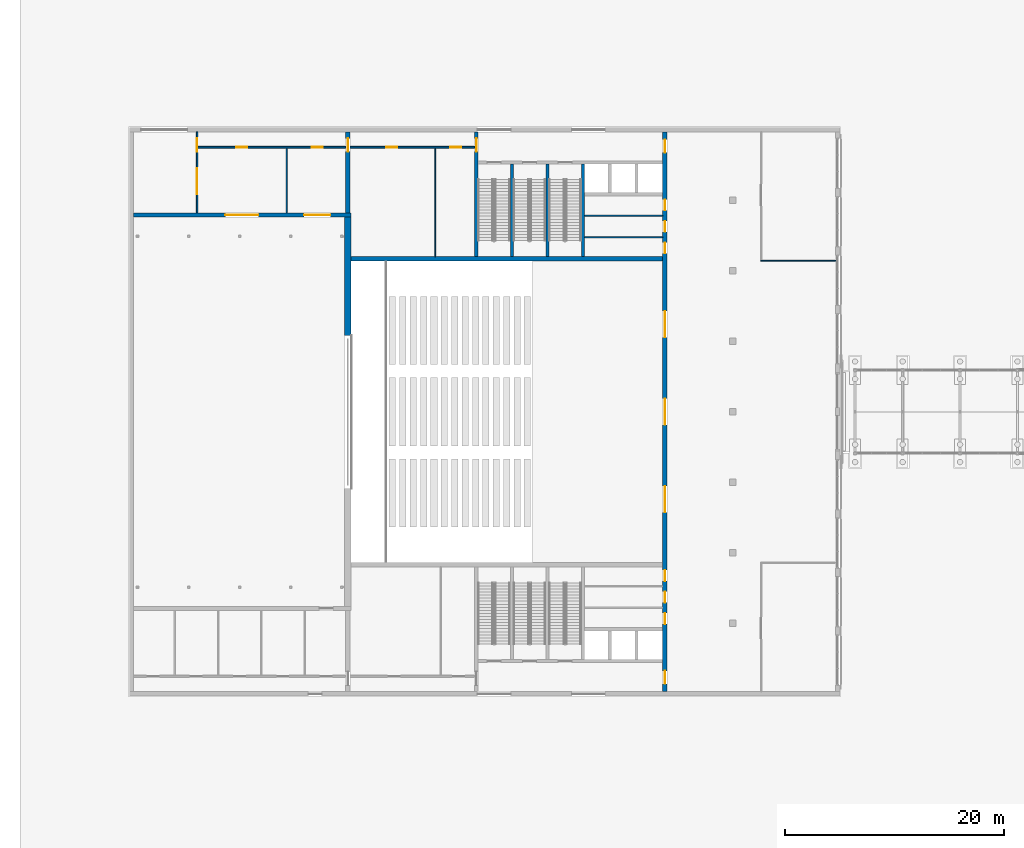
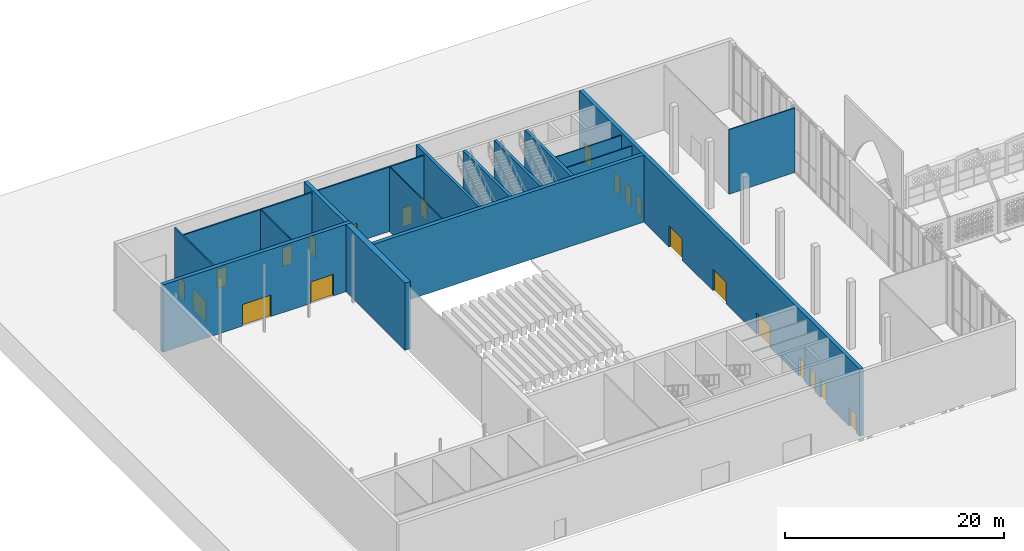
# One storey, part 40 of 79: 21 doors, 17 walls, 21 openings.
"""IFC4 building model written with IfcOpenShell, lengths in metres."""

from ifc_helpers import new_model, si_unit, direction, frame, frame_2d, origin, place, context, subcontext, project, spatial, rectangle, extrude, material, layer, layer_set, type_object, element, fill, save


model = new_model("IFC4")

# Units and contexts
model_context = context("Model", 3, precision=1e-05, world=origin(), true_north=direction((0.0, 1.0)))
body_context = subcontext(model_context, "Body", "Model", "MODEL_VIEW")
ifc_project = project(units=[si_unit("LENGTHUNIT", "METRE"), si_unit("AREAUNIT", "SQUARE_METRE"), si_unit("VOLUMEUNIT", "CUBIC_METRE"), si_unit("PLANEANGLEUNIT", "RADIAN"), si_unit("MASSUNIT", "GRAM", prefix="KILO")], contexts=[model_context])

# Site, building, storey
site_placement = place(None, origin())
site = spatial("IfcSite", under=ifc_project, at=site_placement, CompositionType="ELEMENT")
building_placement = place(site_placement, origin())
building = spatial("IfcBuilding", under=site, at=building_placement, Name="Noorbagh Ring Tower", CompositionType="ELEMENT")
storey_placement = place(building_placement, origin())
storey = spatial("IfcBuildingStorey", under=building, at=storey_placement, Name="L00", CompositionType="ELEMENT", Elevation=0.0)

# Walls
ifc_material_1 = material(Name="Gypsum board on steel studs", Category="steel")
ifc_layer_1 = layer(ifc_material_1, 0.10009765625)
ifc_layer_set_1 = layer_set([ifc_layer_1], Name="Gypsum board on steel studs")
wall_type_1 = type_object("IfcWallType", Name="TH-PART-100", PredefinedType="PARTITIONING", material=ifc_layer_set_1)
wall_1_placement = place(storey_placement, frame((-102.25, 18.800048828125, 0.0), z_axis=(0.0, 0.0, 1.0), x_axis=(1.0, 0.0, 0.0)))
element("IfcWall", 1, at=wall_1_placement, inside=storey, type_object=wall_type_1, Name="L00/th-wall/052", PredefinedType="PARTITIONING", context=body_context, shape_type="SweptSolid", body=[
    extrude(rectangle(XDim=6.949951171875, YDim=0.10009765625, at=frame_2d((3.47509765625, 0.0))), origin(), (0.0, 0.0, 1.0), 7.199951171875),
])
for number, where, z_axis, x_axis, name in (
    (2, (-118.35009765625, 20.967041015625, 0.0), (0.0, 0.0, 1.0), (1.0, 0.0, 0.0), "L00/th-wall/053"),
    (3, (-118.35009765625, 22.93310546875, 0.0), (0.0, 0.0, 1.0), (1.0, 0.0, 0.0), "L00/th-wall/054"),
):
    element("IfcWall", number, at=place(storey_placement, frame(where, z_axis=z_axis, x_axis=x_axis)), inside=storey, type_object=wall_type_1, Name=name, PredefinedType="PARTITIONING", context=body_context, shape_type="SweptSolid", body=[
        extrude(rectangle(XDim=7.150146484375, YDim=0.10009765625, at=frame_2d((3.5751953125, 0.0))), origin(), (0.0, 0.0, 1.0), 7.199951171875),
    ])
wall_2_placement = place(storey_placement, frame((-145.60009765625, 23.199951171875, 0.0), z_axis=(0.0, 0.0, 1.0), x_axis=(0.0, 1.0, 0.0)))
element("IfcWall", 4, at=wall_2_placement, inside=storey, type_object=wall_type_1, Name="L00/th-wall/061", PredefinedType="PARTITIONING", context=body_context, shape_type="SweptSolid", body=[
    extrude(rectangle(XDim=5.925048828125, YDim=0.10009765625, at=frame_2d((2.96240234375, 0.0))), origin(), (0.0, 0.0, 1.0), 7.199951171875),
])
wall_3_placement = place(storey_placement, frame((-132.0, 19.199951171875, 0.0), z_axis=(0.0, 0.0, 1.0), x_axis=(0.0, 1.0, 0.0)))
element("IfcWall", 5, at=wall_3_placement, inside=storey, type_object=wall_type_1, Name="L00/th-wall/064", PredefinedType="PARTITIONING", context=body_context, shape_type="SweptSolid", body=[
    extrude(rectangle(XDim=9.925048828125, YDim=0.10009765625, at=frame_2d((4.96240234375, 0.0))), origin(), (0.0, 0.0, 1.0), 7.199951171875),
])

# Wall, openings, doors
ifc_material_2 = material(Name="Gypsum board on steel studs", Category="steel")
ifc_layer_2 = layer(ifc_material_2, 0.14990234375)
ifc_layer_set_2 = layer_set([ifc_layer_2], Name="Gypsum board on steel studs")
wall_type_2 = type_object("IfcWallType", Name="TH-PART-150", PredefinedType="PARTITIONING", material=ifc_layer_set_2)
wall_4_placement = place(storey_placement, frame((-153.72509765625, 29.199951171875, 0.0), z_axis=(0.0, 0.0, 1.0), x_axis=(1.0, 0.0, 0.0)))
wall_4 = element("IfcWall", 6, at=wall_4_placement, inside=storey, type_object=wall_type_2, Name="L00/th-wall/055", PredefinedType="PARTITIONING", context=body_context, shape_type="SweptSolid", body=[
    extrude(rectangle(XDim=13.525146484375, YDim=0.14990234375, at=frame_2d((6.7626953125, 0.0))), origin(), (0.0, 0.0, 1.0), 7.199951171875),
])
opening_1_placement = place(wall_4_placement, frame((3.52490234375, 0.0, 0.0)))
opening_1 = element("IfcOpeningElement", 7, at=opening_1_placement, cuts=wall_4, Name="Opening TL00-D13", PredefinedType="OPENING", context=body_context, shape_type="SweptSolid", body=[
    extrude(rectangle(XDim=1.0, YDim=2.10009765625, at=frame_2d((0.5, 1.050048828125))), frame((0.0, 0.0849609375, 0.0), z_axis=(0.0, -1.0, 0.0), x_axis=(1.0, 0.0, 0.0)), (0.0, 0.0, 1.0), 0.169921875),
])
opening_2_placement = place(wall_4_placement, frame((10.425048828125, 0.0, 0.0)))
opening_2 = element("IfcOpeningElement", 8, at=opening_2_placement, cuts=wall_4, Name="Opening TL00-D14", PredefinedType="OPENING", context=body_context, shape_type="SweptSolid", body=[
    extrude(rectangle(XDim=1.0, YDim=2.10009765625, at=frame_2d((0.5, 1.050048828125))), frame((0.0, 0.0849609375, 0.0), z_axis=(0.0, -1.0, 0.0), x_axis=(1.0, 0.0, 0.0)), (0.0, 0.0, 1.0), 0.169921875),
])
ifc_material_3 = material(Name="Timber", Category="wood")
door_type_1 = type_object("IfcDoorType", Name="TH-DOOR-1000", OperationType="SINGLE_SWING_LEFT", PredefinedType="DOOR", material=ifc_material_3)
door_1_placement = place(opening_1_placement, origin())
door_1 = element("IfcDoor", 9, at=door_1_placement, inside=storey, type_object=door_type_1, Name="Door Corridor to Scenery workshop TL00-D13", OperationType="SINGLE_SWING_LEFT", OverallHeight=2.10009765625, OverallWidth=1.0, PredefinedType="DOOR", context=body_context, shape_type="SweptSolid", body=[
    extrude(rectangle(XDim=1.0, YDim=2.10009765625, at=frame_2d((0.5, 1.050048828125))), frame((0.0, 0.02490234375, 0.0), z_axis=(0.0, -1.0, 0.0), x_axis=(1.0, 0.0, 0.0)), (0.0, 0.0, 1.0), 0.050048828125),
])
fill(opening_1, door_1)
door_2_placement = place(opening_2_placement, origin())
door_2 = element("IfcDoor", 10, at=door_2_placement, inside=storey, type_object=door_type_1, Name="Door Corridor to Property workshop TL00-D14", OperationType="SINGLE_SWING_RIGHT", OverallHeight=2.10009765625, OverallWidth=1.0, PredefinedType="DOOR", context=body_context, shape_type="SweptSolid", body=[
    extrude(rectangle(XDim=1.0, YDim=2.10009765625, at=frame_2d((0.5, 1.050048828125))), frame((0.0, 0.02490234375, 0.0), z_axis=(0.0, -1.0, 0.0), x_axis=(1.0, 0.0, 0.0)), (0.0, 0.0, 1.0), 0.050048828125),
])
fill(opening_2, door_2)

wall_5_placement = place(storey_placement, frame((-139.800048828125, 29.199951171875, 0.0), z_axis=(0.0, 0.0, 1.0), x_axis=(1.0, 0.0, 0.0)))
wall_5 = element("IfcWall", 11, at=wall_5_placement, inside=storey, type_object=wall_type_2, Name="L00/th-wall/056", PredefinedType="PARTITIONING", context=body_context, shape_type="SweptSolid", body=[
    extrude(rectangle(XDim=11.400146484375, YDim=0.14990234375, at=frame_2d((5.7001953125, 0.0))), origin(), (0.0, 0.0, 1.0), 7.199951171875),
])
opening_3_placement = place(wall_5_placement, frame((3.300048828125, 0.0, 0.0)))
opening_3 = element("IfcOpeningElement", 12, at=opening_3_placement, cuts=wall_5, Name="Opening TL00-D17", PredefinedType="OPENING", context=body_context, shape_type="SweptSolid", body=[
    extrude(rectangle(XDim=1.0, YDim=2.10009765625, at=frame_2d((0.5, 1.050048828125))), frame((0.0, 0.0849609375, 0.0), z_axis=(0.0, -1.0, 0.0), x_axis=(1.0, 0.0, 0.0)), (0.0, 0.0, 1.0), 0.169921875),
])
opening_4_placement = place(wall_5_placement, frame((9.175048828125, 0.0, 0.0)))
opening_4 = element("IfcOpeningElement", 13, at=opening_4_placement, cuts=wall_5, Name="Opening TL00-D18", PredefinedType="OPENING", context=body_context, shape_type="SweptSolid", body=[
    extrude(rectangle(XDim=1.0, YDim=2.10009765625, at=frame_2d((0.5, 1.050048828125))), frame((0.0, 0.0849609375, 0.0), z_axis=(0.0, -1.0, 0.0), x_axis=(1.0, 0.0, 0.0)), (0.0, 0.0, 1.0), 0.169921875),
])
door_3_placement = place(opening_3_placement, origin())
door_3 = element("IfcDoor", 14, at=door_3_placement, inside=storey, type_object=door_type_1, Name="Door Corridor to Rigging store TL00-D17", OperationType="SINGLE_SWING_LEFT", OverallHeight=2.10009765625, OverallWidth=1.0, PredefinedType="DOOR", context=body_context, shape_type="SweptSolid", body=[
    extrude(rectangle(XDim=1.0, YDim=2.10009765625, at=frame_2d((0.5, 1.050048828125))), frame((0.0, 0.02490234375, 0.0), z_axis=(0.0, -1.0, 0.0), x_axis=(1.0, 0.0, 0.0)), (0.0, 0.0, 1.0), 0.050048828125),
])
fill(opening_3, door_3)
door_4_placement = place(opening_4_placement, origin())
door_4 = element("IfcDoor", 15, at=door_4_placement, inside=storey, type_object=door_type_1, Name="Door Corridor to Lighting store TL00-D18", OperationType="SINGLE_SWING_RIGHT", OverallHeight=2.10009765625, OverallWidth=1.0, PredefinedType="DOOR", context=body_context, shape_type="SweptSolid", body=[
    extrude(rectangle(XDim=1.0, YDim=2.10009765625, at=frame_2d((0.5, 1.050048828125))), frame((0.0, 0.02490234375, 0.0), z_axis=(0.0, -1.0, 0.0), x_axis=(1.0, 0.0, 0.0)), (0.0, 0.0, 1.0), 0.050048828125),
])
fill(opening_4, door_4)

wall_6_placement = place(storey_placement, frame((-153.800048828125, 23.199951171875, 0.0), z_axis=(0.0, 0.0, 1.0), x_axis=(0.0, 1.0, 0.0)))
wall_6 = element("IfcWall", 16, at=wall_6_placement, inside=storey, type_object=wall_type_2, Name="L00/th-wall/058", PredefinedType="PARTITIONING", context=body_context, shape_type="SweptSolid", body=[
    extrude(rectangle(XDim=7.400146484375, YDim=0.14990234375, at=frame_2d((3.7001953125, 0.0))), origin(), (0.0, 0.0, 1.0), 7.199951171875),
])
opening_5_placement = place(wall_6_placement, frame((5.60009765625, 0.0, 0.0)))
opening_5 = element("IfcOpeningElement", 17, at=opening_5_placement, cuts=wall_6, Name="Opening TL00-D15", PredefinedType="OPENING", context=body_context, shape_type="SweptSolid", body=[
    extrude(rectangle(XDim=1.199951171875, YDim=2.10009765625, at=frame_2d((0.60009765625, 1.050048828125))), frame((0.0, 0.0849609375, 0.0), z_axis=(0.0, -1.0, 0.0), x_axis=(1.0, 0.0, 0.0)), (0.0, 0.0, 1.0), 0.169921875),
])
opening_6_placement = place(wall_6_placement, frame((1.699951171875, 0.0, 0.0)))
opening_6 = element("IfcOpeningElement", 18, at=opening_6_placement, cuts=wall_6, Name="Opening TL00-D16", PredefinedType="OPENING", context=body_context, shape_type="SweptSolid", body=[
    extrude(rectangle(XDim=2.39990234375, YDim=2.39990234375, at=frame_2d((1.199951171875, 1.199951171875))), frame((0.0, 0.0849609375, 0.0), z_axis=(0.0, -1.0, 0.0), x_axis=(1.0, 0.0, 0.0)), (0.0, 0.0, 1.0), 0.169921875),
])
ifc_material_4 = material(Name="Timber", Category="wood")
door_type_2 = type_object("IfcDoorType", Name="TH-DOOR-1200", OperationType="SINGLE_SWING_LEFT", PredefinedType="DOOR", material=ifc_material_4)
door_5_placement = place(opening_5_placement, origin())
door_5 = element("IfcDoor", 19, at=door_5_placement, inside=storey, type_object=door_type_2, Name="Door Corridor to Scene dock and loading bay TL00-D15", OperationType="SINGLE_SWING_LEFT", OverallHeight=2.10009765625, OverallWidth=1.199951171875, PredefinedType="DOOR", context=body_context, shape_type="SweptSolid", body=[
    extrude(rectangle(XDim=1.199951171875, YDim=2.10009765625, at=frame_2d((0.60009765625, 1.050048828125))), frame((0.0, 0.02490234375, 0.0), z_axis=(0.0, -1.0, 0.0), x_axis=(1.0, 0.0, 0.0)), (0.0, 0.0, 1.0), 0.050048828125),
])
fill(opening_5, door_5)
ifc_material_5 = material(Name="Timber", Category="wood")
door_type_3 = type_object("IfcDoorType", Name="TH-DOOR-DBL-2400", OperationType="DOUBLE_DOOR_SINGLE_SWING", PredefinedType="DOOR", material=ifc_material_5)
door_6_placement = place(opening_6_placement, origin())
door_6 = element("IfcDoor", 20, at=door_6_placement, inside=storey, type_object=door_type_3, Name="Door Scene dock and loading bay to Scenery workshop TL00-D16", OperationType="DOUBLE_DOOR_SINGLE_SWING", OverallHeight=2.39990234375, OverallWidth=2.39990234375, PredefinedType="DOOR", context=body_context, shape_type="SweptSolid", body=[
    extrude(rectangle(XDim=2.39990234375, YDim=2.39990234375, at=frame_2d((1.199951171875, 1.199951171875))), frame((0.0, 0.02490234375, 0.0), z_axis=(0.0, -1.0, 0.0), x_axis=(1.0, 0.0, 0.0)), (0.0, 0.0, 1.0), 0.050048828125),
])
fill(opening_6, door_6)

# Wall, opening, door
ifc_material_6 = material(Name="Concrete C50/60", Category="concrete")
ifc_layer_3 = layer(ifc_material_6, 0.300048828125)
ifc_layer_set_3 = layer_set([ifc_layer_3], Name="Concrete C50/60")
wall_type_3 = type_object("IfcWallType", Name="TH-WALL-CORE", PredefinedType="SHEAR", material=ifc_layer_set_3)
wall_7_placement = place(storey_placement, frame((-128.25, 19.199951171875, 0.0), z_axis=(0.0, 0.0, 1.0), x_axis=(0.0, 1.0, 0.0)))
wall_7 = element("IfcWall", 21, at=wall_7_placement, inside=storey, type_object=wall_type_3, Name="Core wall", PredefinedType="SHEAR", context=body_context, shape_type="SweptSolid", body=[
    extrude(rectangle(XDim=11.400146484375, YDim=0.300048828125, at=frame_2d((5.7001953125, 0.0))), origin(), (0.0, 0.0, 1.0), 7.5),
])
opening_7_placement = place(wall_7_placement, frame((9.60009765625, 0.0, 0.0)))
opening_7 = element("IfcOpeningElement", 22, at=opening_7_placement, cuts=wall_7, Name="Opening TL00-D20", PredefinedType="OPENING", context=body_context, shape_type="SweptSolid", body=[
    extrude(rectangle(XDim=1.199951171875, YDim=2.10009765625, at=frame_2d((0.60009765625, 1.050048828125))), frame((0.0, 0.16015625, 0.0), z_axis=(0.0, -1.0, 0.0), x_axis=(1.0, 0.0, 0.0)), (0.0, 0.0, 1.0), 0.320068359375),
])
ifc_material_7 = material(Name="Steel", Category="steel")
door_type_4 = type_object("IfcDoorType", Name="TH-DOOR-FIRE-1200", OperationType="SINGLE_SWING_LEFT", PredefinedType="DOOR", material=ifc_material_7)
door_7_placement = place(opening_7_placement, origin())
door_7 = element("IfcDoor", 23, at=door_7_placement, inside=storey, type_object=door_type_4, Name="Door Corridor to Exit lobby TL00-D20", OperationType="SINGLE_SWING_RIGHT", OverallHeight=2.10009765625, OverallWidth=1.199951171875, PredefinedType="DOOR", context=body_context, shape_type="SweptSolid", body=[
    extrude(rectangle(XDim=1.199951171875, YDim=2.10009765625, at=frame_2d((0.60009765625, 1.050048828125))), frame((0.0, 0.02490234375, 0.0), z_axis=(0.0, -1.0, 0.0), x_axis=(1.0, 0.0, 0.0)), (0.0, 0.0, 1.0), 0.050048828125),
])
fill(opening_7, door_7)

# Walls
for number, where, z_axis, x_axis, name in (
    (24, (-125.0, 19.199951171875, 0.0), (0.0, 0.0, 1.0), (0.0, 1.0, 0.0), "Stair wall"),
    (25, (-121.75, 19.199951171875, 0.0), (0.0, 0.0, 1.0), (0.0, 1.0, 0.0), "Stair wall"),
    (26, (-118.5, 19.199951171875, 0.0), (0.0, 0.0, 1.0), (0.0, 1.0, 0.0), "Stair wall"),
):
    element("IfcWall", number, at=place(storey_placement, frame(where, z_axis=z_axis, x_axis=x_axis)), inside=storey, type_object=wall_type_3, Name=name, PredefinedType="SHEAR", context=body_context, shape_type="SweptSolid", body=[
        extrude(rectangle(XDim=8.449951171875, YDim=0.300048828125, at=frame_2d((4.22509765625, 0.0))), origin(), (0.0, 0.0, 1.0), 7.5),
    ])
ifc_material_8 = material(Name="Concrete C50/60", Category="concrete")
ifc_layer_4 = layer(ifc_material_8, 0.39990234375)
ifc_layer_set_4 = layer_set([ifc_layer_4], Name="Concrete C50/60")
wall_type_4 = type_object("IfcWallType", Name="TH-WALL-HALL", PredefinedType="SOLIDWALL", material=ifc_layer_set_4)
wall_8_placement = place(storey_placement, frame((-139.699951171875, 19.0, 0.0), z_axis=(0.0, 0.0, 1.0), x_axis=(1.0, 0.0, 0.0)))
element("IfcWall", 27, at=wall_8_placement, inside=storey, type_object=wall_type_4, Name="Auditorium wall north", PredefinedType="SOLIDWALL", context=body_context, shape_type="SweptSolid", body=[
    extrude(rectangle(XDim=28.5, YDim=0.39990234375, at=frame_2d((14.25, 0.0))), origin(), (0.0, 0.0, 1.0), 7.5),
])

# Wall, openings, doors
wall_9_placement = place(storey_placement, frame((-111.0, -20.60009765625, 0.0), z_axis=(0.0, 0.0, 1.0), x_axis=(0.0, 1.0, 0.0)))
wall_9 = element("IfcWall", 28, at=wall_9_placement, inside=storey, type_object=wall_type_4, Name="Auditorium rear wall", PredefinedType="SOLIDWALL", context=body_context, shape_type="SweptSolid", body=[
    extrude(rectangle(XDim=51.2001953125, YDim=0.39990234375, at=frame_2d((25.60009765625, 0.0))), origin(), (0.0, 0.0, 1.0), 7.5),
])
opening_8_placement = place(wall_9_placement, frame((16.39990234375, 0.0, 0.0)))
opening_8 = element("IfcOpeningElement", 29, at=opening_8_placement, cuts=wall_9, Name="Opening TL00-D24", PredefinedType="OPENING", context=body_context, shape_type="SweptSolid", body=[
    extrude(rectangle(XDim=2.39990234375, YDim=2.39990234375, at=frame_2d((1.199951171875, 1.199951171875))), frame((0.0, 0.2099609375, 0.0), z_axis=(0.0, -1.0, 0.0), x_axis=(1.0, 0.0, 0.0)), (0.0, 0.0, 1.0), 0.419921875),
])
opening_9_placement = place(wall_9_placement, frame((24.39990234375, 0.0, 0.0)))
opening_9 = element("IfcOpeningElement", 30, at=opening_9_placement, cuts=wall_9, Name="Opening TL00-D25", PredefinedType="OPENING", context=body_context, shape_type="SweptSolid", body=[
    extrude(rectangle(XDim=2.39990234375, YDim=2.39990234375, at=frame_2d((1.199951171875, 1.199951171875))), frame((0.0, 0.2099609375, 0.0), z_axis=(0.0, -1.0, 0.0), x_axis=(1.0, 0.0, 0.0)), (0.0, 0.0, 1.0), 0.419921875),
])
opening_10_placement = place(wall_9_placement, frame((32.39990234375, 0.0, 0.0)))
opening_10 = element("IfcOpeningElement", 31, at=opening_10_placement, cuts=wall_9, Name="Opening TL00-D26", PredefinedType="OPENING", context=body_context, shape_type="SweptSolid", body=[
    extrude(rectangle(XDim=2.39990234375, YDim=2.39990234375, at=frame_2d((1.199951171875, 1.199951171875))), frame((0.0, 0.2099609375, 0.0), z_axis=(0.0, -1.0, 0.0), x_axis=(1.0, 0.0, 0.0)), (0.0, 0.0, 1.0), 0.419921875),
])
opening_11_placement = place(wall_9_placement, frame((0.699951171875, 0.0, 0.0)))
opening_11 = element("IfcOpeningElement", 32, at=opening_11_placement, cuts=wall_9, Name="Opening TL00-D40", PredefinedType="OPENING", context=body_context, shape_type="SweptSolid", body=[
    extrude(rectangle(XDim=1.199951171875, YDim=2.10009765625, at=frame_2d((0.60009765625, 1.050048828125))), frame((0.0, 0.2099609375, 0.0), z_axis=(0.0, -1.0, 0.0), x_axis=(1.0, 0.0, 0.0)), (0.0, 0.0, 1.0), 0.419921875),
])
opening_12_placement = place(wall_9_placement, frame((6.18408203125, 0.0, 0.0)))
opening_12 = element("IfcOpeningElement", 33, at=opening_12_placement, cuts=wall_9, Name="Opening TL00-D41", PredefinedType="OPENING", context=body_context, shape_type="SweptSolid", body=[
    extrude(rectangle(XDim=1.0, YDim=2.10009765625, at=frame_2d((0.5, 1.050048828125))), frame((0.0, 0.2099609375, 0.0), z_axis=(0.0, -1.0, 0.0), x_axis=(1.0, 0.0, 0.0)), (0.0, 0.0, 1.0), 0.419921875),
])
opening_13_placement = place(wall_9_placement, frame((8.14990234375, 0.0, 0.0)))
opening_13 = element("IfcOpeningElement", 34, at=opening_13_placement, cuts=wall_9, Name="Opening TL00-D42", PredefinedType="OPENING", context=body_context, shape_type="SweptSolid", body=[
    extrude(rectangle(XDim=1.0, YDim=2.10009765625, at=frame_2d((0.5, 1.050048828125))), frame((0.0, 0.2099609375, 0.0), z_axis=(0.0, -1.0, 0.0), x_axis=(1.0, 0.0, 0.0)), (0.0, 0.0, 1.0), 0.419921875),
])
opening_14_placement = place(wall_9_placement, frame((10.116943359375, 0.0, 0.0)))
opening_14 = element("IfcOpeningElement", 35, at=opening_14_placement, cuts=wall_9, Name="Opening TL00-D43", PredefinedType="OPENING", context=body_context, shape_type="SweptSolid", body=[
    extrude(rectangle(XDim=1.0, YDim=2.10009765625, at=frame_2d((0.5, 1.050048828125))), frame((0.0, 0.2099609375, 0.0), z_axis=(0.0, -1.0, 0.0), x_axis=(1.0, 0.0, 0.0)), (0.0, 0.0, 1.0), 0.419921875),
])
opening_15_placement = place(wall_9_placement, frame((49.300048828125, 0.0, 0.0)))
opening_15 = element("IfcOpeningElement", 36, at=opening_15_placement, cuts=wall_9, Name="Opening TL00-D44", PredefinedType="OPENING", context=body_context, shape_type="SweptSolid", body=[
    extrude(rectangle(XDim=1.199951171875, YDim=2.10009765625, at=frame_2d((0.60009765625, 1.050048828125))), frame((0.0, 0.2099609375, 0.0), z_axis=(0.0, -1.0, 0.0), x_axis=(1.0, 0.0, 0.0)), (0.0, 0.0, 1.0), 0.419921875),
])
opening_16_placement = place(wall_9_placement, frame((44.01708984375, 0.0, 0.0)))
opening_16 = element("IfcOpeningElement", 37, at=opening_16_placement, cuts=wall_9, Name="Opening TL00-D45", PredefinedType="OPENING", context=body_context, shape_type="SweptSolid", body=[
    extrude(rectangle(XDim=1.0, YDim=2.10009765625, at=frame_2d((0.5, 1.050048828125))), frame((0.0, 0.2099609375, 0.0), z_axis=(0.0, -1.0, 0.0), x_axis=(1.0, 0.0, 0.0)), (0.0, 0.0, 1.0), 0.419921875),
])
opening_17_placement = place(wall_9_placement, frame((42.050048828125, 0.0, 0.0)))
opening_17 = element("IfcOpeningElement", 38, at=opening_17_placement, cuts=wall_9, Name="Opening TL00-D46", PredefinedType="OPENING", context=body_context, shape_type="SweptSolid", body=[
    extrude(rectangle(XDim=1.0, YDim=2.10009765625, at=frame_2d((0.5, 1.050048828125))), frame((0.0, 0.2099609375, 0.0), z_axis=(0.0, -1.0, 0.0), x_axis=(1.0, 0.0, 0.0)), (0.0, 0.0, 1.0), 0.419921875),
])
opening_18_placement = place(wall_9_placement, frame((40.083984375, 0.0, 0.0)))
opening_18 = element("IfcOpeningElement", 39, at=opening_18_placement, cuts=wall_9, Name="Opening TL00-D47", PredefinedType="OPENING", context=body_context, shape_type="SweptSolid", body=[
    extrude(rectangle(XDim=1.0, YDim=2.10009765625, at=frame_2d((0.5, 1.050048828125))), frame((0.0, 0.2099609375, 0.0), z_axis=(0.0, -1.0, 0.0), x_axis=(1.0, 0.0, 0.0)), (0.0, 0.0, 1.0), 0.419921875),
])
door_8_placement = place(opening_12_placement, origin())
door_8 = element("IfcDoor", 40, at=door_8_placement, inside=storey, type_object=door_type_1, Name="Door Grand foyer to Ladies WC TL00-D41", OperationType="SINGLE_SWING_RIGHT", OverallHeight=2.10009765625, OverallWidth=1.0, PredefinedType="DOOR", context=body_context, shape_type="SweptSolid", body=[
    extrude(rectangle(XDim=1.0, YDim=2.10009765625, at=frame_2d((0.5, 1.050048828125))), frame((0.0, 0.02490234375, 0.0), z_axis=(0.0, -1.0, 0.0), x_axis=(1.0, 0.0, 0.0)), (0.0, 0.0, 1.0), 0.050048828125),
])
fill(opening_12, door_8)
door_9_placement = place(opening_13_placement, origin())
door_9 = element("IfcDoor", 41, at=door_9_placement, inside=storey, type_object=door_type_1, Name="Door Grand foyer to Gents WC TL00-D42", OperationType="SINGLE_SWING_RIGHT", OverallHeight=2.10009765625, OverallWidth=1.0, PredefinedType="DOOR", context=body_context, shape_type="SweptSolid", body=[
    extrude(rectangle(XDim=1.0, YDim=2.10009765625, at=frame_2d((0.5, 1.050048828125))), frame((0.0, 0.02490234375, 0.0), z_axis=(0.0, -1.0, 0.0), x_axis=(1.0, 0.0, 0.0)), (0.0, 0.0, 1.0), 0.050048828125),
])
fill(opening_13, door_9)
door_10_placement = place(opening_14_placement, origin())
door_10 = element("IfcDoor", 42, at=door_10_placement, inside=storey, type_object=door_type_1, Name="Door Grand foyer to Accessible WC TL00-D43", OperationType="SINGLE_SWING_RIGHT", OverallHeight=2.10009765625, OverallWidth=1.0, PredefinedType="DOOR", context=body_context, shape_type="SweptSolid", body=[
    extrude(rectangle(XDim=1.0, YDim=2.10009765625, at=frame_2d((0.5, 1.050048828125))), frame((0.0, 0.02490234375, 0.0), z_axis=(0.0, -1.0, 0.0), x_axis=(1.0, 0.0, 0.0)), (0.0, 0.0, 1.0), 0.050048828125),
])
fill(opening_14, door_10)
door_11_placement = place(opening_16_placement, origin())
door_11 = element("IfcDoor", 43, at=door_11_placement, inside=storey, type_object=door_type_1, Name="Door Grand foyer to Gents WC TL00-D45", OperationType="SINGLE_SWING_LEFT", OverallHeight=2.10009765625, OverallWidth=1.0, PredefinedType="DOOR", context=body_context, shape_type="SweptSolid", body=[
    extrude(rectangle(XDim=1.0, YDim=2.10009765625, at=frame_2d((0.5, 1.050048828125))), frame((0.0, 0.02490234375, 0.0), z_axis=(0.0, -1.0, 0.0), x_axis=(1.0, 0.0, 0.0)), (0.0, 0.0, 1.0), 0.050048828125),
])
fill(opening_16, door_11)
door_12_placement = place(opening_17_placement, origin())
door_12 = element("IfcDoor", 44, at=door_12_placement, inside=storey, type_object=door_type_1, Name="Door Grand foyer to Ladies WC TL00-D46", OperationType="SINGLE_SWING_LEFT", OverallHeight=2.10009765625, OverallWidth=1.0, PredefinedType="DOOR", context=body_context, shape_type="SweptSolid", body=[
    extrude(rectangle(XDim=1.0, YDim=2.10009765625, at=frame_2d((0.5, 1.050048828125))), frame((0.0, 0.02490234375, 0.0), z_axis=(0.0, -1.0, 0.0), x_axis=(1.0, 0.0, 0.0)), (0.0, 0.0, 1.0), 0.050048828125),
])
fill(opening_17, door_12)
door_13_placement = place(opening_18_placement, origin())
door_13 = element("IfcDoor", 45, at=door_13_placement, inside=storey, type_object=door_type_1, Name="Door Grand foyer to Accessible WC TL00-D47", OperationType="SINGLE_SWING_LEFT", OverallHeight=2.10009765625, OverallWidth=1.0, PredefinedType="DOOR", context=body_context, shape_type="SweptSolid", body=[
    extrude(rectangle(XDim=1.0, YDim=2.10009765625, at=frame_2d((0.5, 1.050048828125))), frame((0.0, 0.02490234375, 0.0), z_axis=(0.0, -1.0, 0.0), x_axis=(1.0, 0.0, 0.0)), (0.0, 0.0, 1.0), 0.050048828125),
])
fill(opening_18, door_13)
door_14_placement = place(opening_8_placement, origin())
door_14 = element("IfcDoor", 46, at=door_14_placement, inside=storey, type_object=door_type_3, Name="Door Grand foyer to Main auditorium TL00-D24", OperationType="DOUBLE_DOOR_SINGLE_SWING", OverallHeight=2.39990234375, OverallWidth=2.39990234375, PredefinedType="DOOR", context=body_context, shape_type="SweptSolid", body=[
    extrude(rectangle(XDim=2.39990234375, YDim=2.39990234375, at=frame_2d((1.199951171875, 1.199951171875))), frame((0.0, 0.02490234375, 0.0), z_axis=(0.0, -1.0, 0.0), x_axis=(1.0, 0.0, 0.0)), (0.0, 0.0, 1.0), 0.050048828125),
])
fill(opening_8, door_14)
door_15_placement = place(opening_9_placement, origin())
door_15 = element("IfcDoor", 47, at=door_15_placement, inside=storey, type_object=door_type_3, Name="Door Grand foyer to Main auditorium TL00-D25", OperationType="DOUBLE_DOOR_SINGLE_SWING", OverallHeight=2.39990234375, OverallWidth=2.39990234375, PredefinedType="DOOR", context=body_context, shape_type="SweptSolid", body=[
    extrude(rectangle(XDim=2.39990234375, YDim=2.39990234375, at=frame_2d((1.199951171875, 1.199951171875))), frame((0.0, 0.02490234375, 0.0), z_axis=(0.0, -1.0, 0.0), x_axis=(1.0, 0.0, 0.0)), (0.0, 0.0, 1.0), 0.050048828125),
])
fill(opening_9, door_15)
door_16_placement = place(opening_10_placement, origin())
door_16 = element("IfcDoor", 48, at=door_16_placement, inside=storey, type_object=door_type_3, Name="Door Grand foyer to Main auditorium TL00-D26", OperationType="DOUBLE_DOOR_SINGLE_SWING", OverallHeight=2.39990234375, OverallWidth=2.39990234375, PredefinedType="DOOR", context=body_context, shape_type="SweptSolid", body=[
    extrude(rectangle(XDim=2.39990234375, YDim=2.39990234375, at=frame_2d((1.199951171875, 1.199951171875))), frame((0.0, 0.02490234375, 0.0), z_axis=(0.0, -1.0, 0.0), x_axis=(1.0, 0.0, 0.0)), (0.0, 0.0, 1.0), 0.050048828125),
])
fill(opening_10, door_16)
door_17_placement = place(opening_11_placement, origin())
door_17 = element("IfcDoor", 49, at=door_17_placement, inside=storey, type_object=door_type_4, Name="Door Grand foyer to Exit lobby TL00-D40", OperationType="SINGLE_SWING_RIGHT", OverallHeight=2.10009765625, OverallWidth=1.199951171875, PredefinedType="DOOR", context=body_context, shape_type="SweptSolid", body=[
    extrude(rectangle(XDim=1.199951171875, YDim=2.10009765625, at=frame_2d((0.60009765625, 1.050048828125))), frame((0.0, 0.02490234375, 0.0), z_axis=(0.0, -1.0, 0.0), x_axis=(1.0, 0.0, 0.0)), (0.0, 0.0, 1.0), 0.050048828125),
])
fill(opening_11, door_17)
door_18_placement = place(opening_15_placement, origin())
door_18 = element("IfcDoor", 50, at=door_18_placement, inside=storey, type_object=door_type_4, Name="Door Grand foyer to Exit lobby TL00-D44", OperationType="SINGLE_SWING_LEFT", OverallHeight=2.10009765625, OverallWidth=1.199951171875, PredefinedType="DOOR", context=body_context, shape_type="SweptSolid", body=[
    extrude(rectangle(XDim=1.199951171875, YDim=2.10009765625, at=frame_2d((0.60009765625, 1.050048828125))), frame((0.0, 0.02490234375, 0.0), z_axis=(0.0, -1.0, 0.0), x_axis=(1.0, 0.0, 0.0)), (0.0, 0.0, 1.0), 0.050048828125),
])
fill(opening_15, door_18)

# Wall, opening, door
ifc_material_9 = material(Name="Concrete C40/50", Category="concrete")
ifc_layer_5 = layer(ifc_material_9, 0.39990234375)
ifc_layer_set_5 = layer_set([ifc_layer_5], Name="Concrete C40/50")
wall_type_5 = type_object("IfcWallType", Name="TH-WALL-INNER", PredefinedType="SOLIDWALL", material=ifc_layer_set_5)
wall_10_placement = place(storey_placement, frame((-140.0, 23.199951171875, 0.0), z_axis=(0.0, 0.0, 1.0), x_axis=(0.0, 1.0, 0.0)))
wall_10 = element("IfcWall", 51, at=wall_10_placement, inside=storey, type_object=wall_type_5, Name="Stage block wall", PredefinedType="SOLIDWALL", context=body_context, shape_type="SweptSolid", body=[
    extrude(rectangle(XDim=7.400146484375, YDim=0.39990234375, at=frame_2d((3.7001953125, 0.0))), origin(), (0.0, 0.0, 1.0), 7.5),
])
opening_19_placement = place(wall_10_placement, frame((5.60009765625, 0.0, 0.0)))
opening_19 = element("IfcOpeningElement", 52, at=opening_19_placement, cuts=wall_10, Name="Opening TL00-D19", PredefinedType="OPENING", context=body_context, shape_type="SweptSolid", body=[
    extrude(rectangle(XDim=1.199951171875, YDim=2.10009765625, at=frame_2d((0.60009765625, 1.050048828125))), frame((0.0, 0.2099609375, 0.0), z_axis=(0.0, -1.0, 0.0), x_axis=(1.0, 0.0, 0.0)), (0.0, 0.0, 1.0), 0.419921875),
])
door_19_placement = place(opening_19_placement, origin())
door_19 = element("IfcDoor", 53, at=door_19_placement, inside=storey, type_object=door_type_2, Name="Door Corridor to Corridor TL00-D19", OperationType="SINGLE_SWING_RIGHT", OverallHeight=2.10009765625, OverallWidth=1.199951171875, PredefinedType="DOOR", context=body_context, shape_type="SweptSolid", body=[
    extrude(rectangle(XDim=1.199951171875, YDim=2.10009765625, at=frame_2d((0.60009765625, 1.050048828125))), frame((0.0, 0.02490234375, 0.0), z_axis=(0.0, -1.0, 0.0), x_axis=(1.0, 0.0, 0.0)), (0.0, 0.0, 1.0), 0.050048828125),
])
fill(opening_19, door_19)

# Wall, openings, doors
wall_11_placement = place(storey_placement, frame((-159.60009765625, 23.0, 0.0), z_axis=(0.0, 0.0, 1.0), x_axis=(1.0, 0.0, 0.0)))
wall_11 = element("IfcWall", 54, at=wall_11_placement, inside=storey, type_object=wall_type_5, Name="Stage house wall north", PredefinedType="SOLIDWALL", context=body_context, shape_type="SweptSolid", body=[
    extrude(rectangle(XDim=19.900146484375, YDim=0.39990234375, at=frame_2d((9.9501953125, 0.0))), origin(), (0.0, 0.0, 1.0), 7.5),
])
opening_20_placement = place(wall_11_placement, frame((8.39990234375, 0.0, 0.0)))
opening_20 = element("IfcOpeningElement", 55, at=opening_20_placement, cuts=wall_11, Name="Opening TL00-D36", PredefinedType="OPENING", context=body_context, shape_type="SweptSolid", body=[
    extrude(rectangle(XDim=3.0, YDim=2.39990234375, at=frame_2d((1.5, 1.199951171875))), frame((0.0, 0.2099609375, 0.0), z_axis=(0.0, -1.0, 0.0), x_axis=(1.0, 0.0, 0.0)), (0.0, 0.0, 1.0), 0.419921875),
])
opening_21_placement = place(wall_11_placement, frame((15.60009765625, 0.0, 0.0)))
opening_21 = element("IfcOpeningElement", 56, at=opening_21_placement, cuts=wall_11, Name="Opening TL00-D37", PredefinedType="OPENING", context=body_context, shape_type="SweptSolid", body=[
    extrude(rectangle(XDim=2.39990234375, YDim=2.39990234375, at=frame_2d((1.199951171875, 1.199951171875))), frame((0.0, 0.2099609375, 0.0), z_axis=(0.0, -1.0, 0.0), x_axis=(1.0, 0.0, 0.0)), (0.0, 0.0, 1.0), 0.419921875),
])
door_20_placement = place(opening_21_placement, origin())
door_20 = element("IfcDoor", 57, at=door_20_placement, inside=storey, type_object=door_type_3, Name="Door Property workshop to Stage TL00-D37", OperationType="DOUBLE_DOOR_SINGLE_SWING", OverallHeight=2.39990234375, OverallWidth=2.39990234375, PredefinedType="DOOR", context=body_context, shape_type="SweptSolid", body=[
    extrude(rectangle(XDim=2.39990234375, YDim=2.39990234375, at=frame_2d((1.199951171875, 1.199951171875))), frame((0.0, 0.02490234375, 0.0), z_axis=(0.0, -1.0, 0.0), x_axis=(1.0, 0.0, 0.0)), (0.0, 0.0, 1.0), 0.050048828125),
])
fill(opening_21, door_20)
ifc_material_10 = material(Name="Timber", Category="wood")
door_type_5 = type_object("IfcDoorType", Name="TH-DOOR-DBL-3000", OperationType="DOUBLE_DOOR_SINGLE_SWING", PredefinedType="DOOR", material=ifc_material_10)
door_21_placement = place(opening_20_placement, origin())
door_21 = element("IfcDoor", 58, at=door_21_placement, inside=storey, type_object=door_type_5, Name="Door Scenery workshop to Stage TL00-D36", OperationType="DOUBLE_DOOR_SINGLE_SWING", OverallHeight=2.39990234375, OverallWidth=3.0, PredefinedType="DOOR", context=body_context, shape_type="SweptSolid", body=[
    extrude(rectangle(XDim=3.0, YDim=2.39990234375, at=frame_2d((1.5, 1.199951171875))), frame((0.0, 0.02490234375, 0.0), z_axis=(0.0, -1.0, 0.0), x_axis=(1.0, 0.0, 0.0)), (0.0, 0.0, 1.0), 0.050048828125),
])
fill(opening_20, door_21)

# Wall
ifc_material_11 = material(Name="Concrete C50/60", Category="concrete")
ifc_layer_6 = layer(ifc_material_11, 0.60009765625)
ifc_layer_set_6 = layer_set([ifc_layer_6], Name="Concrete C50/60")
wall_type_6 = type_object("IfcWallType", Name="TH-WALL-PROSC", PredefinedType="SOLIDWALL", material=ifc_layer_set_6)
wall_12_placement = place(storey_placement, frame((-140.0, 12.0, 0.0), z_axis=(0.0, 0.0, 1.0), x_axis=(0.0, 1.0, 0.0)))
element("IfcWall", 59, at=wall_12_placement, inside=storey, type_object=wall_type_6, Name="Proscenium wall", PredefinedType="SOLIDWALL", context=body_context, shape_type="SweptSolid", body=[
    extrude(rectangle(XDim=10.800048828125, YDim=0.60009765625, at=frame_2d((5.39990234375, 0.0))), origin(), (0.0, 0.0, 1.0), 7.5),
])

save(model, "model.ifc")
